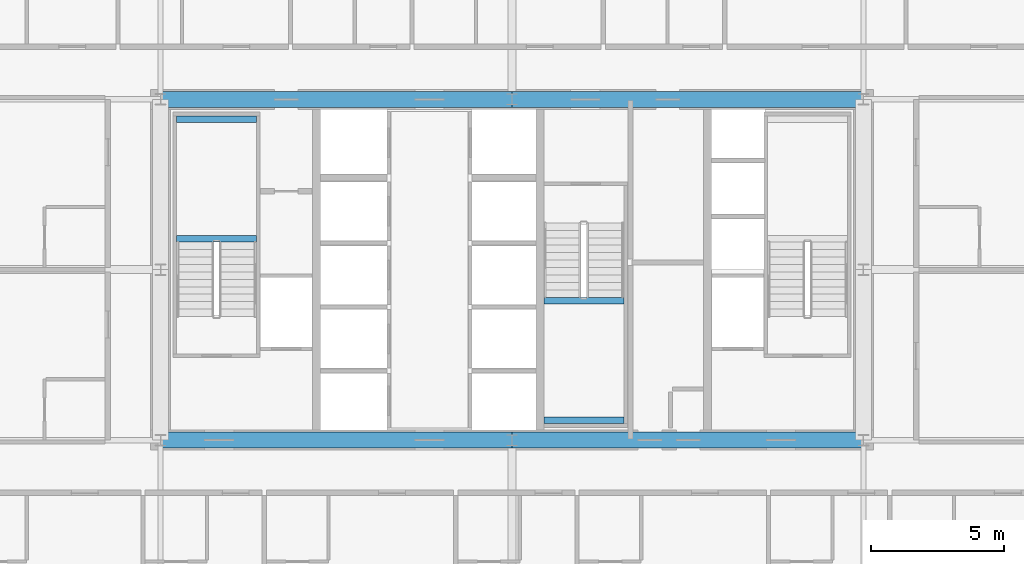
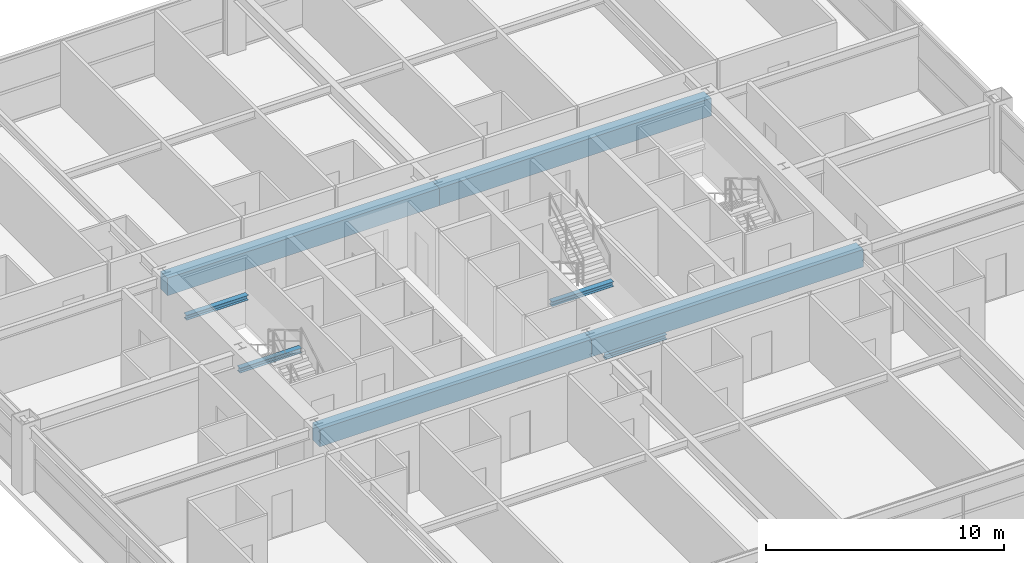
# One storey, part 12 of 38: 8 beams.
"""IFC4 building model written with IfcOpenShell, lengths in metres."""

from ifc_helpers import new_model, si_unit, direction, frame, origin, origin_2d, place, context, subcontext, project, spatial, rectangle, i_section, extrude, source, transform, mapped, material, material_profile, profile_set, type_object, element, save


model = new_model("IFC4")

# Units and contexts
model_context = context("Model", 3, precision=1e-05, world=origin(), true_north=direction((0.0, 1.0)))
body_context = subcontext(model_context, "Body", "Model", "MODEL_VIEW")
ifc_project = project(units=[si_unit("LENGTHUNIT", "METRE"), si_unit("AREAUNIT", "SQUARE_METRE"), si_unit("VOLUMEUNIT", "CUBIC_METRE"), si_unit("PLANEANGLEUNIT", "RADIAN"), si_unit("MASSUNIT", "GRAM", prefix="KILO"), si_unit("THERMODYNAMICTEMPERATUREUNIT", "KELVIN"), si_unit("POWERUNIT", "WATT")], contexts=[model_context])

# Site, building, storey
site_placement = place(None, origin())
site = spatial("IfcSite", under=ifc_project, at=site_placement, CompositionType="ELEMENT")
building_placement = place(site_placement, origin())
building = spatial("IfcBuilding", under=site, at=building_placement, Name="Yuzanri Waterfront Tower", CompositionType="ELEMENT")
storey_placement = place(building_placement, frame((0.0, 0.0, 90.199951171875)))
storey = spatial("IfcBuildingStorey", under=building, at=storey_placement, Name="L23", CompositionType="ELEMENT", Elevation=90.199951171875)

# Beams
ifc_material_1 = material(Name="Concrete C60", Category="concrete")
ifc_material_profile_1 = material_profile(ifc_material_1, rectangle(XDim=0.60009765625, YDim=0.89990234375, at=origin_2d()), Name="RC 600x900")
ifc_profile_set_1 = profile_set([ifc_material_profile_1], Name="Concrete C60")
beam_type_1 = type_object("IfcBeamType", Name="Core Coupling Lintel Concrete C60 600x900", PredefinedType="LINTEL", material=ifc_profile_set_1)
shared_shape_1 = source(origin(), body_context, "Body", "SweptSolid", [
    extrude(rectangle(XDim=0.60009765625, YDim=0.89990234375, at=origin_2d()), origin(), (0.0, 0.0, 1.0), 13.199951171875),
])
for number, where, z_axis, x_axis, name in (
    (1, (23.800048828125, 19.39990234375, 2.929931640625), (1.0, 0.0, 0.0), (0.0, 1.0, 0.0), "L23 Core Tie Beam CS1"),
    (2, (37.0, 19.39990234375, 2.929931640625), (1.0, 0.0, 0.0), (0.0, 1.0, 0.0), "L23 Core Tie Beam CS2"),
    (3, (23.800048828125, 32.199951171875, 2.929931640625), (1.0, 0.0, 0.0), (0.0, 1.0, 0.0), "L23 Core Tie Beam CN1"),
    (4, (37.0, 32.199951171875, 2.929931640625), (1.0, 0.0, 0.0), (0.0, 1.0, 0.0), "L23 Core Tie Beam CN2"),
):
    element("IfcBeam", number, at=place(storey_placement, frame(where, z_axis=z_axis, x_axis=x_axis)), inside=storey, type_object=beam_type_1, Name=name, PredefinedType="LINTEL", context=body_context, shape_type="MappedRepresentation", body=[
        mapped(shared_shape_1, transform((0.0, 0.0, 0.0), scale=1.0)),
    ])
ifc_material_2 = material(Name="Steel Q355B", Category="steel")
ifc_material_profile_2 = material_profile(ifc_material_2, i_section(OverallWidth=0.25, OverallDepth=0.25, WebThickness=0.009033203125, FlangeThickness=0.013916015625, at=origin_2d()), Name="HW 250x250x9x14")
ifc_profile_set_2 = profile_set([ifc_material_profile_2], Name="Steel Q355B")
beam_type_2 = type_object("IfcBeamType", Name="Stair Landing Support Beam Q355B HW 250x250", PredefinedType="BEAM", material=ifc_profile_set_2)
shared_shape_2 = source(origin(), body_context, "Body", "SweptSolid", [
    extrude(i_section(OverallWidth=0.25, OverallDepth=0.25, WebThickness=0.009033203125, FlangeThickness=0.013916015625, at=origin_2d()), origin(), (0.0, 0.0, 1.0), 3.0),
])
for number, where, z_axis, x_axis, name in (
    (5, (24.39990234375, 26.969970703125, 1.47509765625), (1.0, 0.0, 0.0), (0.0, 1.0, 0.0), "L23 Stair Landing Support Beam ST-01-L23-L1-1"),
    (6, (24.39990234375, 31.449951171875, 1.47509765625), (1.0, 0.0, 0.0), (0.0, 1.0, 0.0), "L23 Stair Landing Support Beam ST-01-L23-L1-2"),
    (7, (38.199951171875, 20.14990234375, 1.47509765625), (1.0, 0.0, 0.0), (0.0, 1.0, 0.0), "L23 Stair Landing Support Beam ST-03-L23-L1-1"),
    (8, (38.199951171875, 24.6298828125, 1.47509765625), (1.0, 0.0, 0.0), (0.0, 1.0, 0.0), "L23 Stair Landing Support Beam ST-03-L23-L1-2"),
):
    element("IfcBeam", number, at=place(storey_placement, frame(where, z_axis=z_axis, x_axis=x_axis)), inside=storey, type_object=beam_type_2, Name=name, PredefinedType="BEAM", context=body_context, shape_type="MappedRepresentation", body=[
        mapped(shared_shape_2, transform((0.0, 0.0, 0.0), scale=1.0)),
    ])

save(model, "model.ifc")
